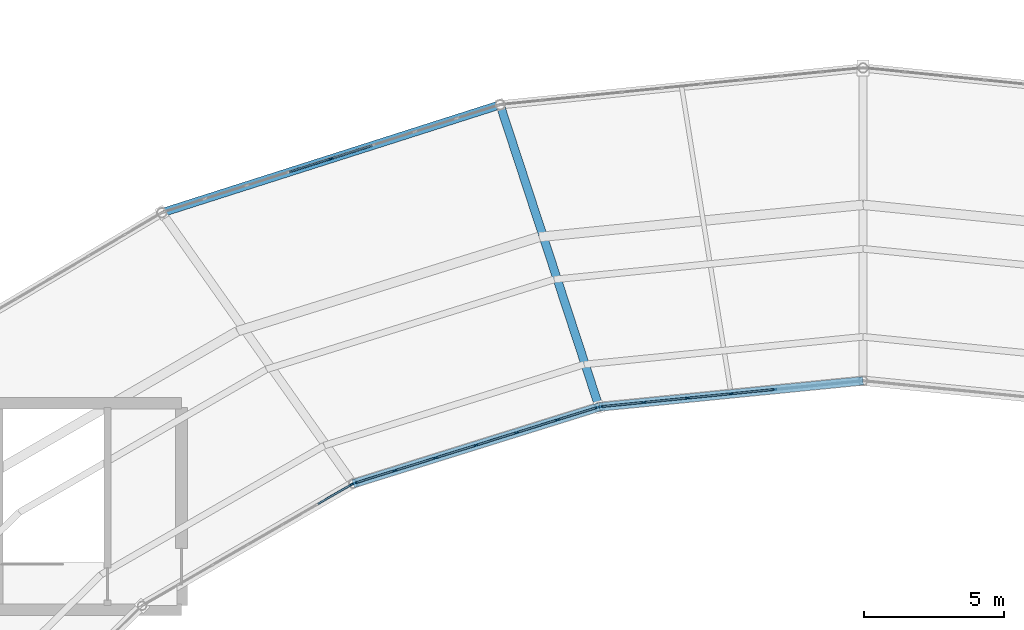
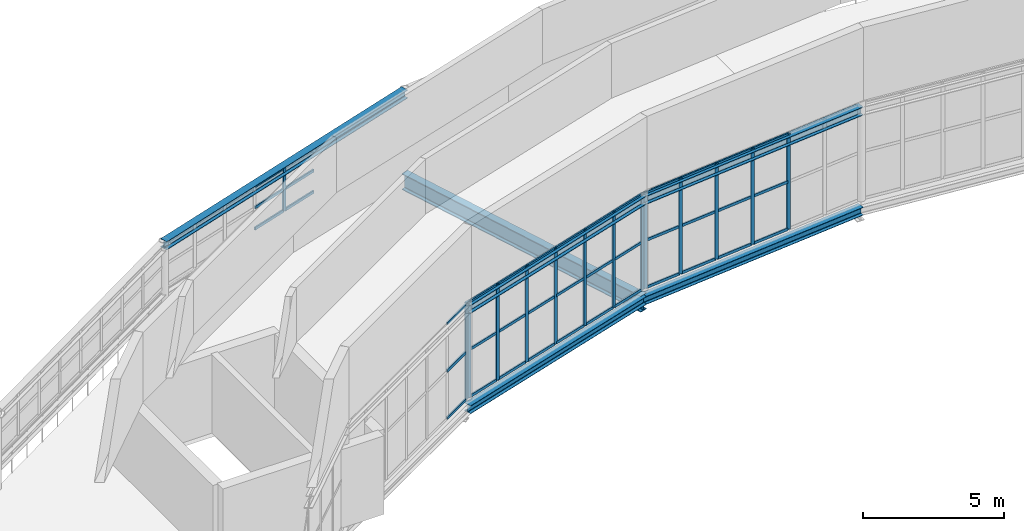
# One storey, part 50 of 123: 52 members, 6 beams, 4 elements without a shape of their own.
"""IFC4 building model written with IfcOpenShell, lengths in metres."""

from ifc_helpers import new_model, si_unit, direction, frame, origin, origin_2d, place, context, subcontext, project, spatial, rectangle, i_section, extrude, material, material_profile, profile_set, type_object, element, aggregate, save


model = new_model("IFC4")

# Units and contexts
model_context = context("Model", 3, precision=1e-05, world=origin(), true_north=direction((0.0, 1.0)))
body_context = subcontext(model_context, "Body", "Model", "MODEL_VIEW")
ifc_project = project(units=[si_unit("LENGTHUNIT", "METRE"), si_unit("AREAUNIT", "SQUARE_METRE"), si_unit("VOLUMEUNIT", "CUBIC_METRE"), si_unit("PLANEANGLEUNIT", "RADIAN"), si_unit("MASSUNIT", "GRAM", prefix="KILO")], contexts=[model_context])

# Site, building, storey
site_placement = place(None, origin())
site = spatial("IfcSite", under=ifc_project, at=site_placement, CompositionType="ELEMENT")
building_placement = place(site_placement, origin())
building = spatial("IfcBuilding", under=site, at=building_placement, Name="Kildeholm Park Wholesale Market", CompositionType="ELEMENT")
storey_placement = place(building_placement, frame((0.0, 0.0, 9.60009765625)))
storey = spatial("IfcBuildingStorey", under=building, at=storey_placement, Name="L02", CompositionType="ELEMENT", Elevation=9.60009765625)

# Beams
ifc_material_1 = material(Name="Steel S355", Category="steel")
ifc_material_profile_1 = material_profile(ifc_material_1, i_section(OverallWidth=0.300048828125, OverallDepth=0.699951171875, WebThickness=0.01708984375, FlangeThickness=0.031982421875, FilletRadius=0.027099609375, at=origin_2d()), Name="HEB 700")
ifc_profile_set_1 = profile_set([ifc_material_profile_1], Name="Steel S355")
beam_type_1 = type_object("IfcBeamType", Name="Beam B-G01 HEB 700", PredefinedType="BEAM", material=ifc_profile_set_1)
beam_1_placement = place(storey_placement, frame((89.552978515625, 116.06298828125, -0.60009765625), z_axis=(-0.31146940438, 0.950256181319, 0.0), x_axis=(-0.950256181319, -0.31146940438, 0.0)))
element("IfcBeam", 1, at=beam_1_placement, inside=storey, type_object=beam_type_1, Name="Beam BM-V1-L02-R1-07 BM-0067", PredefinedType="BEAM", context=body_context, shape_type="SweptSolid", body=[
    extrude(i_section(OverallWidth=0.300048828125, OverallDepth=0.699951171875, WebThickness=0.01708984375, FlangeThickness=0.031982421875, FilletRadius=0.027099609375, at=origin_2d()), origin(), (0.0, 0.0, 1.0), 11.384521484375),
])
ifc_material_profile_2 = material_profile(ifc_material_1, i_section(OverallWidth=0.300048828125, OverallDepth=0.35009765625, WebThickness=0.010009765625, FlangeThickness=0.017578125, FilletRadius=0.027099609375, at=origin_2d()), Name="HEA 360")
ifc_profile_set_2 = profile_set([ifc_material_profile_2], Name="Steel S355")
beam_type_2 = type_object("IfcBeamType", Name="Beam B-R01 HEA 360", PredefinedType="BEAM", material=ifc_profile_set_2)
beam_2_placement = place(storey_placement, frame((99.0, 117.0, -0.42919921875), z_axis=(-0.995117073258, -0.098701623651, 0.0), x_axis=(0.098701623651, -0.995117073258, 0.0)))
element("IfcBeam", 2, at=beam_2_placement, inside=storey, type_object=beam_type_2, Name="Beam BM-V1-L02-CI-06 BM-0062", PredefinedType="BEAM", context=body_context, shape_type="SweptSolid", body=[
    extrude(i_section(OverallWidth=0.300048828125, OverallDepth=0.35009765625, WebThickness=0.010009765625, FlangeThickness=0.017578125, FilletRadius=0.027099609375, at=origin_2d()), origin(), (0.0, 0.0, 1.0), 9.493408203125),
])
beam_3_placement = place(storey_placement, frame((89.552978515625, 116.06298828125, -0.42919921875), z_axis=(-0.9545990852, -0.297893582568, 0.0), x_axis=(0.297893582568, -0.9545990852, 0.0)))
element("IfcBeam", 3, at=beam_3_placement, inside=storey, type_object=beam_type_2, Name="Beam BM-V1-L02-CI-07 BM-0072", PredefinedType="BEAM", context=body_context, shape_type="SweptSolid", body=[
    extrude(i_section(OverallWidth=0.300048828125, OverallDepth=0.35009765625, WebThickness=0.010009765625, FlangeThickness=0.017578125, FilletRadius=0.027099609375, at=origin_2d()), origin(), (0.0, 0.0, 1.0), 9.2216796875),
])
ifc_material_profile_3 = material_profile(ifc_material_1, i_section(OverallWidth=0.300048828125, OverallDepth=0.360107421875, WebThickness=0.012451171875, FlangeThickness=0.0224609375, FilletRadius=0.027099609375, at=origin_2d()), Name="HEB 360")
ifc_profile_set_3 = profile_set([ifc_material_profile_3], Name="Steel S355")
beam_type_3 = type_object("IfcBeamType", Name="Beam B-R03 HEB 360", PredefinedType="BEAM", material=ifc_profile_set_3)
beam_4_placement = place(storey_placement, frame((99.0, 117.0, 3.908935546875), z_axis=(-0.995117073258, -0.098701623651, 0.0), x_axis=(0.098701623651, -0.995117073258, 0.0)))
element("IfcBeam", 4, at=beam_4_placement, inside=storey, type_object=beam_type_3, Name="Beam BM-V1-RF-IN-06 BM-0259", PredefinedType="BEAM", context=body_context, shape_type="SweptSolid", body=[
    extrude(i_section(OverallWidth=0.300048828125, OverallDepth=0.360107421875, WebThickness=0.012451171875, FlangeThickness=0.0224609375, FilletRadius=0.027099609375, at=origin_2d()), origin(), (0.0, 0.0, 1.0), 9.493408203125),
])
beam_5_placement = place(storey_placement, frame((86.007080078125, 126.881103515625, 3.189697265625), z_axis=(-0.952608649326, -0.304198555599, 0.0), x_axis=(0.304198555599, -0.952608649326, 0.0)))
element("IfcBeam", 5, at=beam_5_placement, inside=storey, type_object=beam_type_3, Name="Beam BM-V1-RF-M1-07 BM-0264", PredefinedType="BEAM", context=body_context, shape_type="SweptSolid", body=[
    extrude(i_section(OverallWidth=0.300048828125, OverallDepth=0.360107421875, WebThickness=0.012451171875, FlangeThickness=0.0224609375, FilletRadius=0.027099609375, at=origin_2d()), origin(), (0.0, 0.0, 1.0), 12.70947265625),
])
beam_6_placement = place(storey_placement, frame((89.552978515625, 116.06298828125, 3.92041015625), z_axis=(-0.9545990852, -0.297893582568, 0.0), x_axis=(0.297893582568, -0.9545990852, 0.0)))
element("IfcBeam", 6, at=beam_6_placement, inside=storey, type_object=beam_type_3, Name="Beam BM-V1-RF-IN-07 BM-0265", PredefinedType="BEAM", context=body_context, shape_type="SweptSolid", body=[
    extrude(i_section(OverallWidth=0.300048828125, OverallDepth=0.360107421875, WebThickness=0.012451171875, FlangeThickness=0.0224609375, FilletRadius=0.027099609375, at=origin_2d()), origin(), (0.0, 0.0, 1.0), 9.2216796875),
])

# Curtain wall, members
ifc_material_2 = material(Name="Anodised aluminium and low-E double-glazed glass", Category="aluminium")
curtain_wall_type = type_object("IfcCurtainWallType", Name="Clerestory daylight stick curtain wall CW-02", PredefinedType="NOTDEFINED", material=ifc_material_2)
curtain_wall_1_placement = place(storey_placement, origin())
curtain_wall_1 = element("IfcCurtainWall", 7, at=curtain_wall_1_placement, inside=storey, type_object=curtain_wall_type, Name="Curtain wall CW-V1-IN2-06 CW-0034", PredefinedType="NOTDEFINED")
ifc_material_3 = material(Name="Anodised aluminium", Category="aluminium")
ifc_material_profile_4 = material_profile(ifc_material_3, rectangle(XDim=0.06005859375, YDim=0.14990234375, at=origin_2d()), Name="CWM 60x150")
ifc_profile_set_4 = profile_set([ifc_material_profile_4], Name="Anodised aluminium")
member_type_1 = type_object("IfcMemberType", Name="Curtain-wall mullion CWM-3 CWM 60x150", PredefinedType="MULLION", material=ifc_profile_set_4)
member_1_placement = place(storey_placement, frame((95.83740234375, 116.6904296875, 0.0), z_axis=(0.0, 0.0, 1.0), x_axis=(0.098683331174, -0.995118887444, 0.0)))
member_1 = element("IfcMember", 8, at=member_1_placement, type_object=member_type_1, Name="CW-02 mullion 3 MEM-1325", PredefinedType="MULLION", context=body_context, shape_type="SweptSolid", body=[
    extrude(rectangle(XDim=0.06005859375, YDim=0.14990234375, at=origin_2d()), origin(), (0.0, 0.0, 1.0), 4.14990234375),
])
member_2_placement = place(storey_placement, frame((94.27587890625, 116.535400390625, 0.0), z_axis=(0.0, 0.0, 1.0), x_axis=(0.098683331174, -0.995118887444, 0.0)))
member_2 = element("IfcMember", 9, at=member_2_placement, type_object=member_type_1, Name="CW-02 mullion 4 MEM-1326", PredefinedType="MULLION", context=body_context, shape_type="SweptSolid", body=[
    extrude(rectangle(XDim=0.06005859375, YDim=0.14990234375, at=origin_2d()), origin(), (0.0, 0.0, 1.0), 4.14990234375),
])
member_3_placement = place(storey_placement, frame((92.714599609375, 116.380615234375, 0.0), z_axis=(0.0, 0.0, 1.0), x_axis=(0.098683331174, -0.995118887444, 0.0)))
member_3 = element("IfcMember", 10, at=member_3_placement, type_object=member_type_1, Name="CW-02 mullion 5 MEM-1327", PredefinedType="MULLION", context=body_context, shape_type="SweptSolid", body=[
    extrude(rectangle(XDim=0.06005859375, YDim=0.14990234375, at=origin_2d()), origin(), (0.0, 0.0, 1.0), 4.14990234375),
])
member_4_placement = place(storey_placement, frame((91.1533203125, 116.225830078125, 0.0), z_axis=(0.0, 0.0, 1.0), x_axis=(0.098683331174, -0.995118887444, 0.0)))
member_4 = element("IfcMember", 11, at=member_4_placement, type_object=member_type_1, Name="CW-02 mullion 6 MEM-1328", PredefinedType="MULLION", context=body_context, shape_type="SweptSolid", body=[
    extrude(rectangle(XDim=0.06005859375, YDim=0.14990234375, at=origin_2d()), origin(), (0.0, 0.0, 1.0), 4.14990234375),
])
member_5_placement = place(storey_placement, frame((89.621826171875, 116.073974609375, 0.0), z_axis=(0.0, 0.0, 1.0), x_axis=(0.098683331174, -0.995118887444, 0.0)))
member_5 = element("IfcMember", 12, at=member_5_placement, type_object=member_type_1, Name="CW-02 mullion 7 MEM-1329", PredefinedType="MULLION", context=body_context, shape_type="SweptSolid", body=[
    extrude(rectangle(XDim=0.06005859375, YDim=0.14990234375, at=origin_2d()), origin(), (0.0, 0.0, 1.0), 4.14990234375),
])

# Curtain wall, member
curtain_wall_2_placement = place(storey_placement, origin())
curtain_wall_2 = element("IfcCurtainWall", 13, at=curtain_wall_2_placement, inside=storey, type_object=curtain_wall_type, Name="Curtain wall CW-V1-CL-07 CW-0036", PredefinedType="NOTDEFINED")
member_6_placement = place(storey_placement, frame((79.951416015625, 124.951904296875, 1.349853515625), z_axis=(0.0, 0.0, 1.0), x_axis=(0.304206822997, -0.952606009241, 0.0)))
member_6 = element("IfcMember", 14, at=member_6_placement, type_object=member_type_1, Name="CW-02 mullion 5 MEM-1393", PredefinedType="MULLION", context=body_context, shape_type="SweptSolid", body=[
    extrude(rectangle(XDim=0.06005859375, YDim=0.14990234375, at=origin_2d()), origin(), (0.0, 0.0, 1.0), 1.900146484375),
])

# Curtain wall, members
curtain_wall_3_placement = place(storey_placement, origin())
curtain_wall_3 = element("IfcCurtainWall", 15, at=curtain_wall_3_placement, inside=storey, type_object=curtain_wall_type, Name="Curtain wall CW-V1-IN2-07 CW-0038", PredefinedType="NOTDEFINED")
member_7_placement = place(storey_placement, frame((89.484375, 116.046142578125, 0.0), z_axis=(0.0, 0.0, 1.0), x_axis=(0.297957339818, -0.954579186683, 0.0)))
member_7 = element("IfcMember", 16, at=member_7_placement, type_object=member_type_1, Name="CW-02 mullion 1 MEM-1447", PredefinedType="MULLION", context=body_context, shape_type="SweptSolid", body=[
    extrude(rectangle(XDim=0.06005859375, YDim=0.14990234375, at=origin_2d()), origin(), (0.0, 0.0, 1.0), 4.14990234375),
])
member_8_placement = place(storey_placement, frame((88.05859375, 115.60107421875, 0.0), z_axis=(0.0, 0.0, 1.0), x_axis=(0.297957339818, -0.954579186683, 0.0)))
member_8 = element("IfcMember", 17, at=member_8_placement, type_object=member_type_1, Name="CW-02 mullion 2 MEM-1448", PredefinedType="MULLION", context=body_context, shape_type="SweptSolid", body=[
    extrude(rectangle(XDim=0.06005859375, YDim=0.14990234375, at=origin_2d()), origin(), (0.0, 0.0, 1.0), 4.14990234375),
])
member_9_placement = place(storey_placement, frame((86.60400390625, 115.14697265625, 0.0), z_axis=(0.0, 0.0, 1.0), x_axis=(0.297957339818, -0.954579186683, 0.0)))
member_9 = element("IfcMember", 18, at=member_9_placement, type_object=member_type_1, Name="CW-02 mullion 3 MEM-1449", PredefinedType="MULLION", context=body_context, shape_type="SweptSolid", body=[
    extrude(rectangle(XDim=0.06005859375, YDim=0.14990234375, at=origin_2d()), origin(), (0.0, 0.0, 1.0), 4.14990234375),
])
member_10_placement = place(storey_placement, frame((85.1494140625, 114.693115234375, 0.0), z_axis=(0.0, 0.0, 1.0), x_axis=(0.297957339818, -0.954579186683, 0.0)))
member_10 = element("IfcMember", 19, at=member_10_placement, type_object=member_type_1, Name="CW-02 mullion 4 MEM-1450", PredefinedType="MULLION", context=body_context, shape_type="SweptSolid", body=[
    extrude(rectangle(XDim=0.06005859375, YDim=0.14990234375, at=origin_2d()), origin(), (0.0, 0.0, 1.0), 4.14990234375),
])
member_11_placement = place(storey_placement, frame((83.695068359375, 114.239013671875, 0.0), z_axis=(0.0, 0.0, 1.0), x_axis=(0.297957339818, -0.954579186683, 0.0)))
member_11 = element("IfcMember", 20, at=member_11_placement, type_object=member_type_1, Name="CW-02 mullion 5 MEM-1451", PredefinedType="MULLION", context=body_context, shape_type="SweptSolid", body=[
    extrude(rectangle(XDim=0.06005859375, YDim=0.14990234375, at=origin_2d()), origin(), (0.0, 0.0, 1.0), 4.14990234375),
])
member_12_placement = place(storey_placement, frame((82.240478515625, 113.784912109375, 0.0), z_axis=(0.0, 0.0, 1.0), x_axis=(0.297957339818, -0.954579186683, 0.0)))
member_12 = element("IfcMember", 21, at=member_12_placement, type_object=member_type_1, Name="CW-02 mullion 6 MEM-1452", PredefinedType="MULLION", context=body_context, shape_type="SweptSolid", body=[
    extrude(rectangle(XDim=0.06005859375, YDim=0.14990234375, at=origin_2d()), origin(), (0.0, 0.0, 1.0), 4.14990234375),
])
member_13_placement = place(storey_placement, frame((80.814697265625, 113.33984375, 0.0), z_axis=(0.0, 0.0, 1.0), x_axis=(0.297957339818, -0.954579186683, 0.0)))
member_13 = element("IfcMember", 22, at=member_13_placement, type_object=member_type_1, Name="CW-02 mullion 7 MEM-1453", PredefinedType="MULLION", context=body_context, shape_type="SweptSolid", body=[
    extrude(rectangle(XDim=0.06005859375, YDim=0.14990234375, at=origin_2d()), origin(), (0.0, 0.0, 1.0), 4.14990234375),
])

# Curtain wall, member
curtain_wall_4_placement = place(storey_placement, origin())
curtain_wall_4 = element("IfcCurtainWall", 23, at=curtain_wall_4_placement, inside=storey, type_object=curtain_wall_type, Name="Curtain wall CW-V1-IN2-08 CW-0043", PredefinedType="NOTDEFINED")
member_14_placement = place(storey_placement, frame((80.68603515625, 113.283935546875, 0.0), z_axis=(0.0, 0.0, 1.0), x_axis=(0.500489412982, -0.865742656621, 0.0)))
member_14 = element("IfcMember", 24, at=member_14_placement, type_object=member_type_1, Name="CW-02 mullion 1 MEM-1592", PredefinedType="MULLION", context=body_context, shape_type="SweptSolid", body=[
    extrude(rectangle(XDim=0.06005859375, YDim=0.14990234375, at=origin_2d()), origin(), (0.0, 0.0, 1.0), 4.14990234375),
])

# Member
ifc_material_profile_5 = material_profile(ifc_material_3, rectangle(XDim=0.06005859375, YDim=0.1201171875, at=origin_2d()), Name="CWT 60x120")
ifc_profile_set_5 = profile_set([ifc_material_profile_5], Name="Anodised aluminium")
member_type_2 = type_object("IfcMemberType", Name="Curtain-wall transom CWT-3 CWT 60x120", PredefinedType="USERDEFINED", material=ifc_profile_set_5)
member_15_placement = place(storey_placement, frame((95.807373046875, 116.687255859375, 0.02978515625), z_axis=(-0.995132850789, -0.098542423761, 0.0), x_axis=(0.098542423761, -0.995132850789, 0.0)))
member_15 = element("IfcMember", 25, at=member_15_placement, type_object=member_type_2, Name="CW-02 transom 3.1 MEM-1336", ObjectType="TRANSOM", PredefinedType="USERDEFINED", context=body_context, shape_type="SweptSolid", body=[
    extrude(rectangle(XDim=0.06005859375, YDim=0.1201171875, at=origin_2d()), origin(), (0.0, 0.0, 1.0), 1.5087890625),
])

member_16_placement = place(storey_placement, frame((95.807373046875, 116.687255859375, 2.074951171875), z_axis=(-0.995132850789, -0.098542423761, 0.0), x_axis=(0.098542423761, -0.995132850789, 0.0)))
member_16 = element("IfcMember", 26, at=member_16_placement, type_object=member_type_2, Name="CW-02 transom 3.2 MEM-1337", ObjectType="TRANSOM", PredefinedType="USERDEFINED", context=body_context, shape_type="SweptSolid", body=[
    extrude(rectangle(XDim=0.06005859375, YDim=0.1201171875, at=origin_2d()), origin(), (0.0, 0.0, 1.0), 1.5087890625),
])

member_17_placement = place(storey_placement, frame((95.807373046875, 116.687255859375, 4.119873046875), z_axis=(-0.995132850789, -0.098542423761, 0.0), x_axis=(0.098542423761, -0.995132850789, 0.0)))
member_17 = element("IfcMember", 27, at=member_17_placement, type_object=member_type_2, Name="CW-02 transom 3.3 MEM-1338", ObjectType="TRANSOM", PredefinedType="USERDEFINED", context=body_context, shape_type="SweptSolid", body=[
    extrude(rectangle(XDim=0.06005859375, YDim=0.1201171875, at=origin_2d()), origin(), (0.0, 0.0, 1.0), 1.5087890625),
])

member_18_placement = place(storey_placement, frame((94.24609375, 116.532470703125, 0.02978515625), z_axis=(-0.995116970578, -0.09870265887, 0.0), x_axis=(0.09870265887, -0.995116970578, 0.0)))
member_18 = element("IfcMember", 28, at=member_18_placement, type_object=member_type_2, Name="CW-02 transom 4.1 MEM-1339", ObjectType="TRANSOM", PredefinedType="USERDEFINED", context=body_context, shape_type="SweptSolid", body=[
    extrude(rectangle(XDim=0.06005859375, YDim=0.1201171875, at=origin_2d()), origin(), (0.0, 0.0, 1.0), 1.5087890625),
])

member_19_placement = place(storey_placement, frame((94.24609375, 116.532470703125, 2.074951171875), z_axis=(-0.995116970578, -0.09870265887, 0.0), x_axis=(0.09870265887, -0.995116970578, 0.0)))
member_19 = element("IfcMember", 29, at=member_19_placement, type_object=member_type_2, Name="CW-02 transom 4.2 MEM-1340", ObjectType="TRANSOM", PredefinedType="USERDEFINED", context=body_context, shape_type="SweptSolid", body=[
    extrude(rectangle(XDim=0.06005859375, YDim=0.1201171875, at=origin_2d()), origin(), (0.0, 0.0, 1.0), 1.5087890625),
])

member_20_placement = place(storey_placement, frame((94.24609375, 116.532470703125, 4.119873046875), z_axis=(-0.995116970578, -0.09870265887, 0.0), x_axis=(0.09870265887, -0.995116970578, 0.0)))
member_20 = element("IfcMember", 30, at=member_20_placement, type_object=member_type_2, Name="CW-02 transom 4.3 MEM-1341", ObjectType="TRANSOM", PredefinedType="USERDEFINED", context=body_context, shape_type="SweptSolid", body=[
    extrude(rectangle(XDim=0.06005859375, YDim=0.1201171875, at=origin_2d()), origin(), (0.0, 0.0, 1.0), 1.5087890625),
])

member_21_placement = place(storey_placement, frame((92.684814453125, 116.377685546875, 0.02978515625), z_axis=(-0.995118546562, -0.098686768558, 0.0), x_axis=(0.098686768558, -0.995118546562, 0.0)))
member_21 = element("IfcMember", 31, at=member_21_placement, type_object=member_type_2, Name="CW-02 transom 5.1 MEM-1342", ObjectType="TRANSOM", PredefinedType="USERDEFINED", context=body_context, shape_type="SweptSolid", body=[
    extrude(rectangle(XDim=0.06005859375, YDim=0.1201171875, at=origin_2d()), origin(), (0.0, 0.0, 1.0), 1.509033203125),
])

member_22_placement = place(storey_placement, frame((92.684814453125, 116.377685546875, 2.074951171875), z_axis=(-0.995118546562, -0.098686768558, 0.0), x_axis=(0.098686768558, -0.995118546562, 0.0)))
member_22 = element("IfcMember", 32, at=member_22_placement, type_object=member_type_2, Name="CW-02 transom 5.2 MEM-1343", ObjectType="TRANSOM", PredefinedType="USERDEFINED", context=body_context, shape_type="SweptSolid", body=[
    extrude(rectangle(XDim=0.06005859375, YDim=0.1201171875, at=origin_2d()), origin(), (0.0, 0.0, 1.0), 1.509033203125),
])

member_23_placement = place(storey_placement, frame((92.684814453125, 116.377685546875, 4.119873046875), z_axis=(-0.995118546562, -0.098686768558, 0.0), x_axis=(0.098686768558, -0.995118546562, 0.0)))
member_23 = element("IfcMember", 33, at=member_23_placement, type_object=member_type_2, Name="CW-02 transom 5.3 MEM-1344", ObjectType="TRANSOM", PredefinedType="USERDEFINED", context=body_context, shape_type="SweptSolid", body=[
    extrude(rectangle(XDim=0.06005859375, YDim=0.1201171875, at=origin_2d()), origin(), (0.0, 0.0, 1.0), 1.509033203125),
])

member_24_placement = place(storey_placement, frame((91.12353515625, 116.222900390625, 0.02978515625), z_axis=(-0.995116944217, -0.098702924638, 0.0), x_axis=(0.098702924638, -0.995116944217, 0.0)))
member_24 = element("IfcMember", 34, at=member_24_placement, type_object=member_type_2, Name="CW-02 transom 6.1 MEM-1345", ObjectType="TRANSOM", PredefinedType="USERDEFINED", context=body_context, shape_type="SweptSolid", body=[
    extrude(rectangle(XDim=0.06005859375, YDim=0.1201171875, at=origin_2d()), origin(), (0.0, 0.0, 1.0), 1.479248046875),
])

member_25_placement = place(storey_placement, frame((91.12353515625, 116.222900390625, 2.074951171875), z_axis=(-0.995116944217, -0.098702924638, 0.0), x_axis=(0.098702924638, -0.995116944217, 0.0)))
member_25 = element("IfcMember", 35, at=member_25_placement, type_object=member_type_2, Name="CW-02 transom 6.2 MEM-1346", ObjectType="TRANSOM", PredefinedType="USERDEFINED", context=body_context, shape_type="SweptSolid", body=[
    extrude(rectangle(XDim=0.06005859375, YDim=0.1201171875, at=origin_2d()), origin(), (0.0, 0.0, 1.0), 1.479248046875),
])

member_26_placement = place(storey_placement, frame((91.12353515625, 116.222900390625, 4.119873046875), z_axis=(-0.995116944217, -0.098702924638, 0.0), x_axis=(0.098702924638, -0.995116944217, 0.0)))
member_26 = element("IfcMember", 36, at=member_26_placement, type_object=member_type_2, Name="CW-02 transom 6.3 MEM-1347", ObjectType="TRANSOM", PredefinedType="USERDEFINED", context=body_context, shape_type="SweptSolid", body=[
    extrude(rectangle(XDim=0.06005859375, YDim=0.1201171875, at=origin_2d()), origin(), (0.0, 0.0, 1.0), 1.479248046875),
])

aggregate(curtain_wall_1, [member_1, member_2, member_3, member_4, member_5, member_15, member_16, member_17, member_18, member_19, member_20, member_21, member_22, member_23, member_24, member_25, member_26])

member_27_placement = place(storey_placement, frame((81.4267578125, 125.423095703125, 1.3798828125), z_axis=(-0.952625522419, -0.304145711849, 0.0), x_axis=(0.304145711849, -0.952625522419, 0.0)))
member_27 = element("IfcMember", 37, at=member_27_placement, type_object=member_type_2, Name="CW-02 transom 4.1 MEM-1407", ObjectType="TRANSOM", PredefinedType="USERDEFINED", context=body_context, shape_type="SweptSolid", body=[
    extrude(rectangle(XDim=0.06005859375, YDim=0.1201171875, at=origin_2d()), origin(), (0.0, 0.0, 1.0), 1.518798828125),
])

member_28_placement = place(storey_placement, frame((81.4267578125, 125.423095703125, 2.2998046875), z_axis=(-0.952625522419, -0.304145711849, 0.0), x_axis=(0.304145711849, -0.952625522419, 0.0)))
member_28 = element("IfcMember", 38, at=member_28_placement, type_object=member_type_2, Name="CW-02 transom 4.2 MEM-1408", ObjectType="TRANSOM", PredefinedType="USERDEFINED", context=body_context, shape_type="SweptSolid", body=[
    extrude(rectangle(XDim=0.06005859375, YDim=0.1201171875, at=origin_2d()), origin(), (0.0, 0.0, 1.0), 1.518798828125),
])

member_29_placement = place(storey_placement, frame((79.9228515625, 124.94287109375, 1.3798828125), z_axis=(-0.952610648558, -0.304192294864, 0.0), x_axis=(0.304192294864, -0.952610648558, 0.0)))
member_29 = element("IfcMember", 39, at=member_29_placement, type_object=member_type_2, Name="CW-02 transom 5.1 MEM-1410", ObjectType="TRANSOM", PredefinedType="USERDEFINED", context=body_context, shape_type="SweptSolid", body=[
    extrude(rectangle(XDim=0.06005859375, YDim=0.1201171875, at=origin_2d()), origin(), (0.0, 0.0, 1.0), 1.5185546875),
])

member_30_placement = place(storey_placement, frame((79.9228515625, 124.94287109375, 2.2998046875), z_axis=(-0.952610648558, -0.304192294864, 0.0), x_axis=(0.304192294864, -0.952610648558, 0.0)))
member_30 = element("IfcMember", 40, at=member_30_placement, type_object=member_type_2, Name="CW-02 transom 5.2 MEM-1411", ObjectType="TRANSOM", PredefinedType="USERDEFINED", context=body_context, shape_type="SweptSolid", body=[
    extrude(rectangle(XDim=0.06005859375, YDim=0.1201171875, at=origin_2d()), origin(), (0.0, 0.0, 1.0), 1.5185546875),
])

member_31_placement = place(storey_placement, frame((79.9228515625, 124.94287109375, 3.219970703125), z_axis=(-0.952610648558, -0.304192294864, 0.0), x_axis=(0.304192294864, -0.952610648558, 0.0)))
member_31 = element("IfcMember", 41, at=member_31_placement, type_object=member_type_2, Name="CW-02 transom 5.3 MEM-1412", ObjectType="TRANSOM", PredefinedType="USERDEFINED", context=body_context, shape_type="SweptSolid", body=[
    extrude(rectangle(XDim=0.06005859375, YDim=0.1201171875, at=origin_2d()), origin(), (0.0, 0.0, 1.0), 1.5185546875),
])

aggregate(curtain_wall_2, [member_6, member_27, member_28, member_29, member_30, member_31])

member_32_placement = place(storey_placement, frame((89.455810546875, 116.037109375, 0.02978515625), z_axis=(-0.954570828719, -0.29798411528, 0.0), x_axis=(0.29798411528, -0.954570828719, 0.0)))
member_32 = element("IfcMember", 42, at=member_32_placement, type_object=member_type_2, Name="CW-02 transom 1.1 MEM-1454", ObjectType="TRANSOM", PredefinedType="USERDEFINED", context=body_context, shape_type="SweptSolid", body=[
    extrude(rectangle(XDim=0.06005859375, YDim=0.1201171875, at=origin_2d()), origin(), (0.0, 0.0, 1.0), 1.433837890625),
])

member_33_placement = place(storey_placement, frame((89.455810546875, 116.037109375, 2.074951171875), z_axis=(-0.954570828719, -0.29798411528, 0.0), x_axis=(0.29798411528, -0.954570828719, 0.0)))
member_33 = element("IfcMember", 43, at=member_33_placement, type_object=member_type_2, Name="CW-02 transom 1.2 MEM-1455", ObjectType="TRANSOM", PredefinedType="USERDEFINED", context=body_context, shape_type="SweptSolid", body=[
    extrude(rectangle(XDim=0.06005859375, YDim=0.1201171875, at=origin_2d()), origin(), (0.0, 0.0, 1.0), 1.433837890625),
])

member_34_placement = place(storey_placement, frame((89.455810546875, 116.037109375, 4.119873046875), z_axis=(-0.954570828719, -0.29798411528, 0.0), x_axis=(0.29798411528, -0.954570828719, 0.0)))
member_34 = element("IfcMember", 44, at=member_34_placement, type_object=member_type_2, Name="CW-02 transom 1.3 MEM-1456", ObjectType="TRANSOM", PredefinedType="USERDEFINED", context=body_context, shape_type="SweptSolid", body=[
    extrude(rectangle(XDim=0.06005859375, YDim=0.1201171875, at=origin_2d()), origin(), (0.0, 0.0, 1.0), 1.433837890625),
])

member_35_placement = place(storey_placement, frame((88.02978515625, 115.592041015625, 0.02978515625), z_axis=(-0.954595656964, -0.297904568118, 0.0), x_axis=(0.297904568118, -0.954595656964, 0.0)))
member_35 = element("IfcMember", 45, at=member_35_placement, type_object=member_type_2, Name="CW-02 transom 2.1 MEM-1457", ObjectType="TRANSOM", PredefinedType="USERDEFINED", context=body_context, shape_type="SweptSolid", body=[
    extrude(rectangle(XDim=0.06005859375, YDim=0.1201171875, at=origin_2d()), origin(), (0.0, 0.0, 1.0), 1.463623046875),
])

member_36_placement = place(storey_placement, frame((88.02978515625, 115.592041015625, 2.074951171875), z_axis=(-0.954595656964, -0.297904568118, 0.0), x_axis=(0.297904568118, -0.954595656964, 0.0)))
member_36 = element("IfcMember", 46, at=member_36_placement, type_object=member_type_2, Name="CW-02 transom 2.2 MEM-1458", ObjectType="TRANSOM", PredefinedType="USERDEFINED", context=body_context, shape_type="SweptSolid", body=[
    extrude(rectangle(XDim=0.06005859375, YDim=0.1201171875, at=origin_2d()), origin(), (0.0, 0.0, 1.0), 1.463623046875),
])

member_37_placement = place(storey_placement, frame((88.02978515625, 115.592041015625, 4.119873046875), z_axis=(-0.954595656964, -0.297904568118, 0.0), x_axis=(0.297904568118, -0.954595656964, 0.0)))
member_37 = element("IfcMember", 47, at=member_37_placement, type_object=member_type_2, Name="CW-02 transom 2.3 MEM-1459", ObjectType="TRANSOM", PredefinedType="USERDEFINED", context=body_context, shape_type="SweptSolid", body=[
    extrude(rectangle(XDim=0.06005859375, YDim=0.1201171875, at=origin_2d()), origin(), (0.0, 0.0, 1.0), 1.463623046875),
])

member_38_placement = place(storey_placement, frame((86.575439453125, 115.137939453125, 0.02978515625), z_axis=(-0.954595656964, -0.297904568118, 0.0), x_axis=(0.297904568118, -0.954595656964, 0.0)))
member_38 = element("IfcMember", 48, at=member_38_placement, type_object=member_type_2, Name="CW-02 transom 3.1 MEM-1460", ObjectType="TRANSOM", PredefinedType="USERDEFINED", context=body_context, shape_type="SweptSolid", body=[
    extrude(rectangle(XDim=0.06005859375, YDim=0.1201171875, at=origin_2d()), origin(), (0.0, 0.0, 1.0), 1.463623046875),
])

member_39_placement = place(storey_placement, frame((86.575439453125, 115.137939453125, 2.074951171875), z_axis=(-0.954595656964, -0.297904568118, 0.0), x_axis=(0.297904568118, -0.954595656964, 0.0)))
member_39 = element("IfcMember", 49, at=member_39_placement, type_object=member_type_2, Name="CW-02 transom 3.2 MEM-1461", ObjectType="TRANSOM", PredefinedType="USERDEFINED", context=body_context, shape_type="SweptSolid", body=[
    extrude(rectangle(XDim=0.06005859375, YDim=0.1201171875, at=origin_2d()), origin(), (0.0, 0.0, 1.0), 1.463623046875),
])

member_40_placement = place(storey_placement, frame((86.575439453125, 115.137939453125, 4.119873046875), z_axis=(-0.954595656964, -0.297904568118, 0.0), x_axis=(0.297904568118, -0.954595656964, 0.0)))
member_40 = element("IfcMember", 50, at=member_40_placement, type_object=member_type_2, Name="CW-02 transom 3.3 MEM-1462", ObjectType="TRANSOM", PredefinedType="USERDEFINED", context=body_context, shape_type="SweptSolid", body=[
    extrude(rectangle(XDim=0.06005859375, YDim=0.1201171875, at=origin_2d()), origin(), (0.0, 0.0, 1.0), 1.463623046875),
])

member_41_placement = place(storey_placement, frame((85.120849609375, 114.68408203125, 0.02978515625), z_axis=(-0.954595656964, -0.297904568118, 0.0), x_axis=(0.297904568118, -0.954595656964, 0.0)))
member_41 = element("IfcMember", 51, at=member_41_placement, type_object=member_type_2, Name="CW-02 transom 4.1 MEM-1463", ObjectType="TRANSOM", PredefinedType="USERDEFINED", context=body_context, shape_type="SweptSolid", body=[
    extrude(rectangle(XDim=0.06005859375, YDim=0.1201171875, at=origin_2d()), origin(), (0.0, 0.0, 1.0), 1.463623046875),
])

member_42_placement = place(storey_placement, frame((85.120849609375, 114.68408203125, 2.074951171875), z_axis=(-0.954595656964, -0.297904568118, 0.0), x_axis=(0.297904568118, -0.954595656964, 0.0)))
member_42 = element("IfcMember", 52, at=member_42_placement, type_object=member_type_2, Name="CW-02 transom 4.2 MEM-1464", ObjectType="TRANSOM", PredefinedType="USERDEFINED", context=body_context, shape_type="SweptSolid", body=[
    extrude(rectangle(XDim=0.06005859375, YDim=0.1201171875, at=origin_2d()), origin(), (0.0, 0.0, 1.0), 1.463623046875),
])

member_43_placement = place(storey_placement, frame((85.120849609375, 114.68408203125, 4.119873046875), z_axis=(-0.954595656964, -0.297904568118, 0.0), x_axis=(0.297904568118, -0.954595656964, 0.0)))
member_43 = element("IfcMember", 53, at=member_43_placement, type_object=member_type_2, Name="CW-02 transom 4.3 MEM-1465", ObjectType="TRANSOM", PredefinedType="USERDEFINED", context=body_context, shape_type="SweptSolid", body=[
    extrude(rectangle(XDim=0.06005859375, YDim=0.1201171875, at=origin_2d()), origin(), (0.0, 0.0, 1.0), 1.463623046875),
])

member_44_placement = place(storey_placement, frame((83.666259765625, 114.22998046875, 0.02978515625), z_axis=(-0.954595656964, -0.297904568118, 0.0), x_axis=(0.297904568118, -0.954595656964, 0.0)))
member_44 = element("IfcMember", 54, at=member_44_placement, type_object=member_type_2, Name="CW-02 transom 5.1 MEM-1466", ObjectType="TRANSOM", PredefinedType="USERDEFINED", context=body_context, shape_type="SweptSolid", body=[
    extrude(rectangle(XDim=0.06005859375, YDim=0.1201171875, at=origin_2d()), origin(), (0.0, 0.0, 1.0), 1.463623046875),
])

member_45_placement = place(storey_placement, frame((83.666259765625, 114.22998046875, 2.074951171875), z_axis=(-0.954595656964, -0.297904568118, 0.0), x_axis=(0.297904568118, -0.954595656964, 0.0)))
member_45 = element("IfcMember", 55, at=member_45_placement, type_object=member_type_2, Name="CW-02 transom 5.2 MEM-1467", ObjectType="TRANSOM", PredefinedType="USERDEFINED", context=body_context, shape_type="SweptSolid", body=[
    extrude(rectangle(XDim=0.06005859375, YDim=0.1201171875, at=origin_2d()), origin(), (0.0, 0.0, 1.0), 1.463623046875),
])

member_46_placement = place(storey_placement, frame((83.666259765625, 114.22998046875, 4.119873046875), z_axis=(-0.954595656964, -0.297904568118, 0.0), x_axis=(0.297904568118, -0.954595656964, 0.0)))
member_46 = element("IfcMember", 56, at=member_46_placement, type_object=member_type_2, Name="CW-02 transom 5.3 MEM-1468", ObjectType="TRANSOM", PredefinedType="USERDEFINED", context=body_context, shape_type="SweptSolid", body=[
    extrude(rectangle(XDim=0.06005859375, YDim=0.1201171875, at=origin_2d()), origin(), (0.0, 0.0, 1.0), 1.463623046875),
])

member_47_placement = place(storey_placement, frame((82.2119140625, 113.776123046875, 0.02978515625), z_axis=(-0.954570828719, -0.29798411528, 0.0), x_axis=(0.29798411528, -0.954570828719, 0.0)))
member_47 = element("IfcMember", 57, at=member_47_placement, type_object=member_type_2, Name="CW-02 transom 6.1 MEM-1469", ObjectType="TRANSOM", PredefinedType="USERDEFINED", context=body_context, shape_type="SweptSolid", body=[
    extrude(rectangle(XDim=0.06005859375, YDim=0.1201171875, at=origin_2d()), origin(), (0.0, 0.0, 1.0), 1.433837890625),
])

member_48_placement = place(storey_placement, frame((82.2119140625, 113.776123046875, 2.074951171875), z_axis=(-0.954570828719, -0.29798411528, 0.0), x_axis=(0.29798411528, -0.954570828719, 0.0)))
member_48 = element("IfcMember", 58, at=member_48_placement, type_object=member_type_2, Name="CW-02 transom 6.2 MEM-1470", ObjectType="TRANSOM", PredefinedType="USERDEFINED", context=body_context, shape_type="SweptSolid", body=[
    extrude(rectangle(XDim=0.06005859375, YDim=0.1201171875, at=origin_2d()), origin(), (0.0, 0.0, 1.0), 1.433837890625),
])

member_49_placement = place(storey_placement, frame((82.2119140625, 113.776123046875, 4.119873046875), z_axis=(-0.954570828719, -0.29798411528, 0.0), x_axis=(0.29798411528, -0.954570828719, 0.0)))
member_49 = element("IfcMember", 59, at=member_49_placement, type_object=member_type_2, Name="CW-02 transom 6.3 MEM-1471", ObjectType="TRANSOM", PredefinedType="USERDEFINED", context=body_context, shape_type="SweptSolid", body=[
    extrude(rectangle(XDim=0.06005859375, YDim=0.1201171875, at=origin_2d()), origin(), (0.0, 0.0, 1.0), 1.433837890625),
])

aggregate(curtain_wall_3, [member_7, member_8, member_9, member_10, member_11, member_12, member_13, member_32, member_33, member_34, member_35, member_36, member_37, member_38, member_39, member_40, member_41, member_42, member_43, member_44, member_45, member_46, member_47, member_48, member_49])

member_50_placement = place(storey_placement, frame((80.66015625, 113.26904296875, 0.02978515625), z_axis=(-0.865698151159, -0.500566390282, 0.0), x_axis=(0.500566390282, -0.865698151159, 0.0)))
member_50 = element("IfcMember", 60, at=member_50_placement, type_object=member_type_2, Name="CW-02 transom 1.1 MEM-1599", ObjectType="TRANSOM", PredefinedType="USERDEFINED", context=body_context, shape_type="SweptSolid", body=[
    extrude(rectangle(XDim=0.06005859375, YDim=0.1201171875, at=origin_2d()), origin(), (0.0, 0.0, 1.0), 1.35205078125),
])

member_51_placement = place(storey_placement, frame((80.66015625, 113.26904296875, 2.074951171875), z_axis=(-0.865698151159, -0.500566390282, 0.0), x_axis=(0.500566390282, -0.865698151159, 0.0)))
member_51 = element("IfcMember", 61, at=member_51_placement, type_object=member_type_2, Name="CW-02 transom 1.2 MEM-1600", ObjectType="TRANSOM", PredefinedType="USERDEFINED", context=body_context, shape_type="SweptSolid", body=[
    extrude(rectangle(XDim=0.06005859375, YDim=0.1201171875, at=origin_2d()), origin(), (0.0, 0.0, 1.0), 1.35205078125),
])

member_52_placement = place(storey_placement, frame((80.66015625, 113.26904296875, 4.119873046875), z_axis=(-0.865698151159, -0.500566390282, 0.0), x_axis=(0.500566390282, -0.865698151159, 0.0)))
member_52 = element("IfcMember", 62, at=member_52_placement, type_object=member_type_2, Name="CW-02 transom 1.3 MEM-1601", ObjectType="TRANSOM", PredefinedType="USERDEFINED", context=body_context, shape_type="SweptSolid", body=[
    extrude(rectangle(XDim=0.06005859375, YDim=0.1201171875, at=origin_2d()), origin(), (0.0, 0.0, 1.0), 1.35205078125),
])

aggregate(curtain_wall_4, [member_14, member_50, member_51, member_52])

save(model, "model.ifc")
